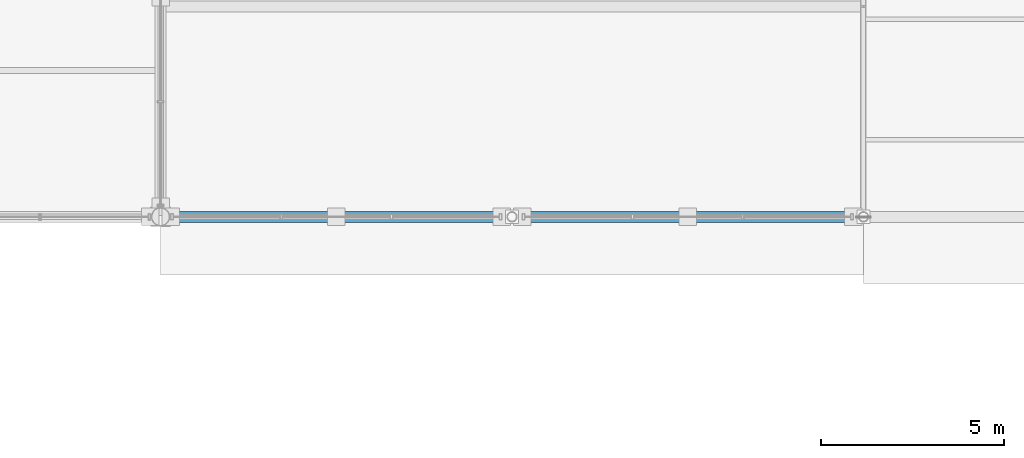
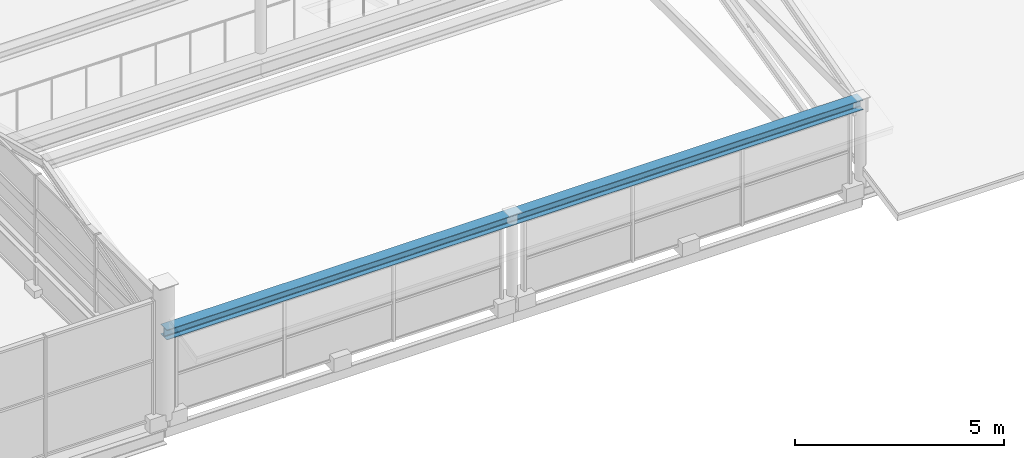
# One storey, part 41 of 117: 1 beam.
"""IFC4 building model written with IfcOpenShell, lengths in metres."""

from ifc_helpers import new_model, si_unit, direction, frame, origin, origin_2d, place, context, subcontext, project, spatial, i_section, extrude, material, material_profile, profile_set, type_object, element, save


model = new_model("IFC4")

# Units and contexts
model_context = context("Model", 3, precision=1e-05, world=origin(), true_north=direction((0.0, 1.0)))
body_context = subcontext(model_context, "Body", "Model", "MODEL_VIEW")
ifc_project = project(units=[si_unit("LENGTHUNIT", "METRE"), si_unit("AREAUNIT", "SQUARE_METRE"), si_unit("VOLUMEUNIT", "CUBIC_METRE"), si_unit("PLANEANGLEUNIT", "RADIAN"), si_unit("MASSUNIT", "GRAM", prefix="KILO")], contexts=[model_context])

# Site, building, storey
site_placement = place(None, origin())
site = spatial("IfcSite", under=ifc_project, at=site_placement, CompositionType="ELEMENT")
building_placement = place(site_placement, origin())
building = spatial("IfcBuilding", under=site, at=building_placement, Name="Merenkruunu Market Hall", CompositionType="ELEMENT")
storey_placement = place(building_placement, frame((0.0, 0.0, 10.199951171875)))
storey = spatial("IfcBuildingStorey", under=building, at=storey_placement, Name="L02", CompositionType="ELEMENT", Elevation=10.199951171875)

# Beam
ifc_material = material(Name="Steel S355J2", Category="steel")
ifc_material_profile = material_profile(ifc_material, i_section(OverallWidth=0.300048828125, OverallDepth=0.2900390625, WebThickness=0.008544921875, FlangeThickness=0.013916015625, FilletRadius=0.027099609375, at=origin_2d()), Name="HEA 300")
ifc_profile_set = profile_set([ifc_material_profile], Name="Steel S355J2")
beam_type = type_object("IfcBeamType", Name="Primary Floor Girder B09", PredefinedType="BEAM", material=ifc_profile_set)
beam_placement = place(storey_placement, frame((57.60009765625, 15.60009765625, 2.43505859375), z_axis=(1.0, 0.0, 0.0), x_axis=(0.0, 1.0, 0.0)))
element("IfcBeam", 1, at=beam_placement, inside=storey, type_object=beam_type, Name="BM-L02-B09-1294", PredefinedType="BEAM", context=body_context, shape_type="SweptSolid", body=[
    extrude(i_section(OverallWidth=0.300048828125, OverallDepth=0.2900390625, WebThickness=0.008544921875, FlangeThickness=0.013916015625, FilletRadius=0.027099609375, at=origin_2d()), origin(), (0.0, 0.0, 1.0), 19.199951171875),
])

save(model, "model.ifc")
